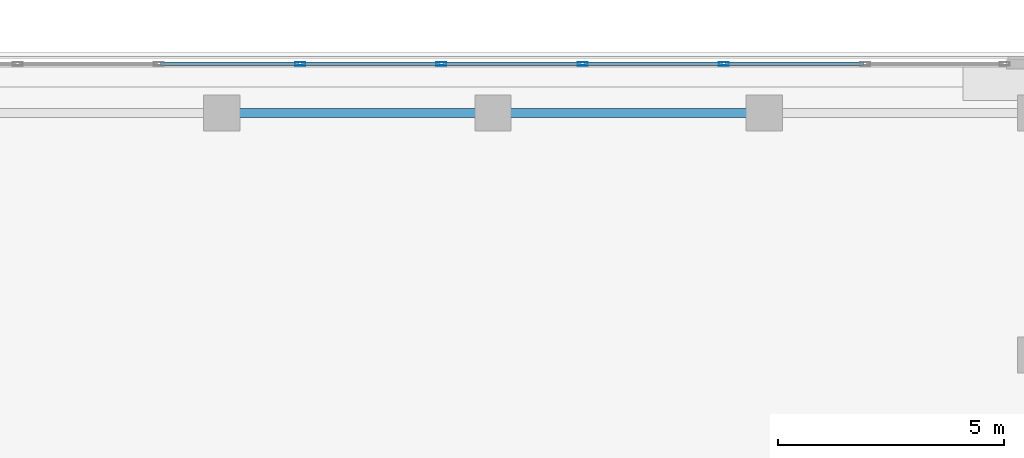
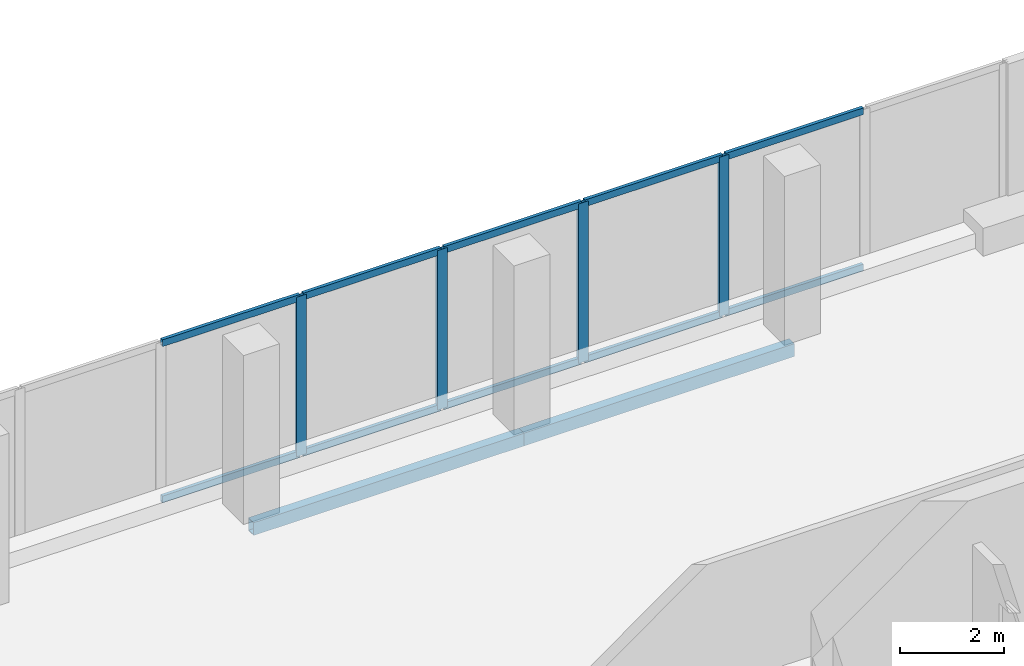
# One storey, part 13 of 26: 14 members, 2 beams, 1 element without a shape of its own.
"""IFC4 building model written with IfcOpenShell, lengths in metres."""

from ifc_helpers import new_model, si_unit, direction, frame, origin, origin_2d, place, context, subcontext, project, spatial, hollow_rectangle, extrude, material, layer, layer_set, material_profile, profile_set, type_object, element, aggregate, save


model = new_model("IFC4")

# Units and contexts
model_context = context("Model", 3, precision=1e-05, world=origin(), true_north=direction((0.0, 1.0)))
body_context = subcontext(model_context, "Body", "Model", "MODEL_VIEW")
ifc_project = project(units=[si_unit("LENGTHUNIT", "METRE"), si_unit("AREAUNIT", "SQUARE_METRE"), si_unit("VOLUMEUNIT", "CUBIC_METRE"), si_unit("PLANEANGLEUNIT", "RADIAN"), si_unit("MASSUNIT", "GRAM", prefix="KILO")], contexts=[model_context])

# Site, building, storey
site_placement = place(None, origin())
site = spatial("IfcSite", under=ifc_project, at=site_placement, CompositionType="ELEMENT")
building_placement = place(site_placement, origin())
building = spatial("IfcBuilding", under=site, at=building_placement, Name="Tanjung Sevakor Pilgrim Tower", CompositionType="ELEMENT")
storey_placement = place(building_placement, frame((0.0, 0.0, 177.8701171875)))
storey = spatial("IfcBuildingStorey", under=building, at=storey_placement, Name="L49", CompositionType="ELEMENT", Elevation=177.8701171875)

# Beams
ifc_material_1 = material(Name="Steel S355J2", Category="steel")
ifc_material_profile_1 = material_profile(ifc_material_1, hollow_rectangle(XDim=0.199951171875, YDim=0.300048828125, WallThickness=0.012451171875, at=origin_2d()))
ifc_profile_set_1 = profile_set([ifc_material_profile_1], Name="Steel S355J2")
beam_type = type_object("IfcBeamType", Name="BM-B-SP3-RHS_300x200x12.5", PredefinedType="SPANDREL", material=ifc_profile_set_1)
for number, where, z_axis, x_axis, name in (
    (1, (72.0, 53.949951171875, -0.43017578125), (1.0, 0.0, 0.0), (0.0, 1.0, 0.0), "L49 Spandrel MAIN N-12"),
    (2, (78.0, 53.949951171875, -0.43017578125), (1.0, 0.0, 0.0), (0.0, 1.0, 0.0), "L49 Spandrel MAIN N-14"),
):
    element("IfcBeam", number, at=place(storey_placement, frame(where, z_axis=z_axis, x_axis=x_axis)), inside=storey, type_object=beam_type, Name=name, PredefinedType="SPANDREL", context=body_context, shape_type="SweptSolid", body=[
        extrude(hollow_rectangle(XDim=0.199951171875, YDim=0.300048828125, WallThickness=0.012451171875, at=origin_2d()), origin(), (0.0, 0.0, 1.0), 6.0),
    ])

# Curtain wall, members
ifc_material_2 = material(Name="Aluminium 6063-T6 and Low-E Glass", Category="aluminium")
ifc_layer = layer(ifc_material_2, 0.199951171875)
ifc_layer_set = layer_set([ifc_layer], Name="CW-SYS-SKY")
curtain_wall_type = type_object("IfcCurtainWallType", Name="CW-SYS-SKY", PredefinedType="NOTDEFINED", material=ifc_layer_set)
curtain_wall_placement = place(storey_placement, origin())
curtain_wall = element("IfcCurtainWall", 3, at=curtain_wall_placement, inside=storey, type_object=curtain_wall_type, Name="L49 Curtain Wall CW-SKY-L49-N", PredefinedType="NOTDEFINED")
ifc_material_3 = material(Name="Aluminium 6063-T6", Category="aluminium")
ifc_material_profile_2 = material_profile(ifc_material_3, hollow_rectangle(XDim=0.074951171875, YDim=0.219970703125, WallThickness=0.0048828125, at=origin_2d()))
ifc_profile_set_2 = profile_set([ifc_material_profile_2], Name="Aluminium 6063-T6")
member_type_1 = type_object("IfcMemberType", Name="TYPE-CWM-2", PredefinedType="MULLION", material=ifc_profile_set_2)
member_1_placement = place(storey_placement, frame((83.10546875, 55.0400390625, 0.0), z_axis=(0.0, 0.0, 1.0), x_axis=(0.0, -1.0, 0.0)))
member_1 = element("IfcMember", 4, at=member_1_placement, type_object=member_type_1, Name="CW-SKY mullion 3", PredefinedType="MULLION", context=body_context, shape_type="SweptSolid", body=[
    extrude(hollow_rectangle(XDim=0.074951171875, YDim=0.219970703125, WallThickness=0.0048828125, at=origin_2d()), origin(), (0.0, 0.0, 1.0), 3.739990234375),
])
member_2_placement = place(storey_placement, frame((79.981201171875, 55.0400390625, 0.0), z_axis=(0.0, 0.0, 1.0), x_axis=(0.0, -1.0, 0.0)))
member_2 = element("IfcMember", 5, at=member_2_placement, type_object=member_type_1, Name="CW-SKY mullion 4", PredefinedType="MULLION", context=body_context, shape_type="SweptSolid", body=[
    extrude(hollow_rectangle(XDim=0.074951171875, YDim=0.219970703125, WallThickness=0.0048828125, at=origin_2d()), origin(), (0.0, 0.0, 1.0), 3.739990234375),
])
member_3_placement = place(storey_placement, frame((76.856689453125, 55.0400390625, 0.0), z_axis=(0.0, 0.0, 1.0), x_axis=(0.0, -1.0, 0.0)))
member_3 = element("IfcMember", 6, at=member_3_placement, type_object=member_type_1, Name="CW-SKY mullion 5", PredefinedType="MULLION", context=body_context, shape_type="SweptSolid", body=[
    extrude(hollow_rectangle(XDim=0.074951171875, YDim=0.219970703125, WallThickness=0.0048828125, at=origin_2d()), origin(), (0.0, 0.0, 1.0), 3.739990234375),
])
member_4_placement = place(storey_placement, frame((73.732177734375, 55.0400390625, 0.0), z_axis=(0.0, 0.0, 1.0), x_axis=(0.0, -1.0, 0.0)))
member_4 = element("IfcMember", 7, at=member_4_placement, type_object=member_type_1, Name="CW-SKY mullion 6", PredefinedType="MULLION", context=body_context, shape_type="SweptSolid", body=[
    extrude(hollow_rectangle(XDim=0.074951171875, YDim=0.219970703125, WallThickness=0.0048828125, at=origin_2d()), origin(), (0.0, 0.0, 1.0), 3.739990234375),
])
ifc_material_4 = material(Name="Aluminium 6063-T6", Category="aluminium")
ifc_material_profile_3 = material_profile(ifc_material_4, hollow_rectangle(XDim=0.074951171875, YDim=0.159912109375, WallThickness=0.00439453125, at=origin_2d()))
ifc_profile_set_3 = profile_set([ifc_material_profile_3], Name="Aluminium 6063-T6")
member_type_2 = type_object("IfcMemberType", Name="TYPE-CWT-2", PredefinedType="USERDEFINED", material=ifc_profile_set_3)
member_5_placement = place(storey_placement, frame((86.1923828125, 55.0400390625, 0.037353515625), z_axis=(-1.0, 0.0, 0.0), x_axis=(0.0, -1.0, 0.0)))
member_5 = element("IfcMember", 8, at=member_5_placement, type_object=member_type_2, Name="CW-SKY transom 2.1", ObjectType="TRANSOM", PredefinedType="USERDEFINED", context=body_context, shape_type="SweptSolid", body=[
    extrude(hollow_rectangle(XDim=0.074951171875, YDim=0.159912109375, WallThickness=0.00439453125, at=origin_2d()), origin(), (0.0, 0.0, 1.0), 3.04931640625),
])
member_6_placement = place(storey_placement, frame((86.1923828125, 55.0400390625, 3.702392578125), z_axis=(-1.0, 0.0, 0.0), x_axis=(0.0, -1.0, 0.0)))
member_6 = element("IfcMember", 9, at=member_6_placement, type_object=member_type_2, Name="CW-SKY transom 2.2", ObjectType="TRANSOM", PredefinedType="USERDEFINED", context=body_context, shape_type="SweptSolid", body=[
    extrude(hollow_rectangle(XDim=0.074951171875, YDim=0.159912109375, WallThickness=0.00439453125, at=origin_2d()), origin(), (0.0, 0.0, 1.0), 3.04931640625),
])
member_7_placement = place(storey_placement, frame((83.068115234375, 55.0400390625, 0.037353515625), z_axis=(-1.0, 0.0, 0.0), x_axis=(0.0, -1.0, 0.0)))
member_7 = element("IfcMember", 10, at=member_7_placement, type_object=member_type_2, Name="CW-SKY transom 3.1", ObjectType="TRANSOM", PredefinedType="USERDEFINED", context=body_context, shape_type="SweptSolid", body=[
    extrude(hollow_rectangle(XDim=0.074951171875, YDim=0.159912109375, WallThickness=0.00439453125, at=origin_2d()), origin(), (0.0, 0.0, 1.0), 3.049560546875),
])
member_8_placement = place(storey_placement, frame((83.068115234375, 55.0400390625, 3.702392578125), z_axis=(-1.0, 0.0, 0.0), x_axis=(0.0, -1.0, 0.0)))
member_8 = element("IfcMember", 11, at=member_8_placement, type_object=member_type_2, Name="CW-SKY transom 3.2", ObjectType="TRANSOM", PredefinedType="USERDEFINED", context=body_context, shape_type="SweptSolid", body=[
    extrude(hollow_rectangle(XDim=0.074951171875, YDim=0.159912109375, WallThickness=0.00439453125, at=origin_2d()), origin(), (0.0, 0.0, 1.0), 3.049560546875),
])
member_9_placement = place(storey_placement, frame((79.943603515625, 55.0400390625, 0.037353515625), z_axis=(-1.0, 0.0, 0.0), x_axis=(0.0, -1.0, 0.0)))
member_9 = element("IfcMember", 12, at=member_9_placement, type_object=member_type_2, Name="CW-SKY transom 4.1", ObjectType="TRANSOM", PredefinedType="USERDEFINED", context=body_context, shape_type="SweptSolid", body=[
    extrude(hollow_rectangle(XDim=0.074951171875, YDim=0.159912109375, WallThickness=0.00439453125, at=origin_2d()), origin(), (0.0, 0.0, 1.0), 3.049560546875),
])
member_10_placement = place(storey_placement, frame((79.943603515625, 55.0400390625, 3.702392578125), z_axis=(-1.0, 0.0, 0.0), x_axis=(0.0, -1.0, 0.0)))
member_10 = element("IfcMember", 13, at=member_10_placement, type_object=member_type_2, Name="CW-SKY transom 4.2", ObjectType="TRANSOM", PredefinedType="USERDEFINED", context=body_context, shape_type="SweptSolid", body=[
    extrude(hollow_rectangle(XDim=0.074951171875, YDim=0.159912109375, WallThickness=0.00439453125, at=origin_2d()), origin(), (0.0, 0.0, 1.0), 3.049560546875),
])
member_11_placement = place(storey_placement, frame((76.819091796875, 55.0400390625, 0.037353515625), z_axis=(-1.0, 0.0, 0.0), x_axis=(0.0, -1.0, 0.0)))
member_11 = element("IfcMember", 14, at=member_11_placement, type_object=member_type_2, Name="CW-SKY transom 5.1", ObjectType="TRANSOM", PredefinedType="USERDEFINED", context=body_context, shape_type="SweptSolid", body=[
    extrude(hollow_rectangle(XDim=0.074951171875, YDim=0.159912109375, WallThickness=0.00439453125, at=origin_2d()), origin(), (0.0, 0.0, 1.0), 3.04931640625),
])
member_12_placement = place(storey_placement, frame((76.819091796875, 55.0400390625, 3.702392578125), z_axis=(-1.0, 0.0, 0.0), x_axis=(0.0, -1.0, 0.0)))
member_12 = element("IfcMember", 15, at=member_12_placement, type_object=member_type_2, Name="CW-SKY transom 5.2", ObjectType="TRANSOM", PredefinedType="USERDEFINED", context=body_context, shape_type="SweptSolid", body=[
    extrude(hollow_rectangle(XDim=0.074951171875, YDim=0.159912109375, WallThickness=0.00439453125, at=origin_2d()), origin(), (0.0, 0.0, 1.0), 3.04931640625),
])
member_13_placement = place(storey_placement, frame((73.694580078125, 55.0400390625, 0.037353515625), z_axis=(-1.0, 0.0, 0.0), x_axis=(0.0, -1.0, 0.0)))
member_13 = element("IfcMember", 16, at=member_13_placement, type_object=member_type_2, Name="CW-SKY transom 6.1", ObjectType="TRANSOM", PredefinedType="USERDEFINED", context=body_context, shape_type="SweptSolid", body=[
    extrude(hollow_rectangle(XDim=0.074951171875, YDim=0.159912109375, WallThickness=0.00439453125, at=origin_2d()), origin(), (0.0, 0.0, 1.0), 3.04931640625),
])
member_14_placement = place(storey_placement, frame((73.694580078125, 55.0400390625, 3.702392578125), z_axis=(-1.0, 0.0, 0.0), x_axis=(0.0, -1.0, 0.0)))
member_14 = element("IfcMember", 17, at=member_14_placement, type_object=member_type_2, Name="CW-SKY transom 6.2", ObjectType="TRANSOM", PredefinedType="USERDEFINED", context=body_context, shape_type="SweptSolid", body=[
    extrude(hollow_rectangle(XDim=0.074951171875, YDim=0.159912109375, WallThickness=0.00439453125, at=origin_2d()), origin(), (0.0, 0.0, 1.0), 3.04931640625),
])
aggregate(curtain_wall, [member_1, member_2, member_3, member_4, member_5, member_6, member_7, member_8, member_9, member_10, member_11, member_12, member_13, member_14])

save(model, "model.ifc")
